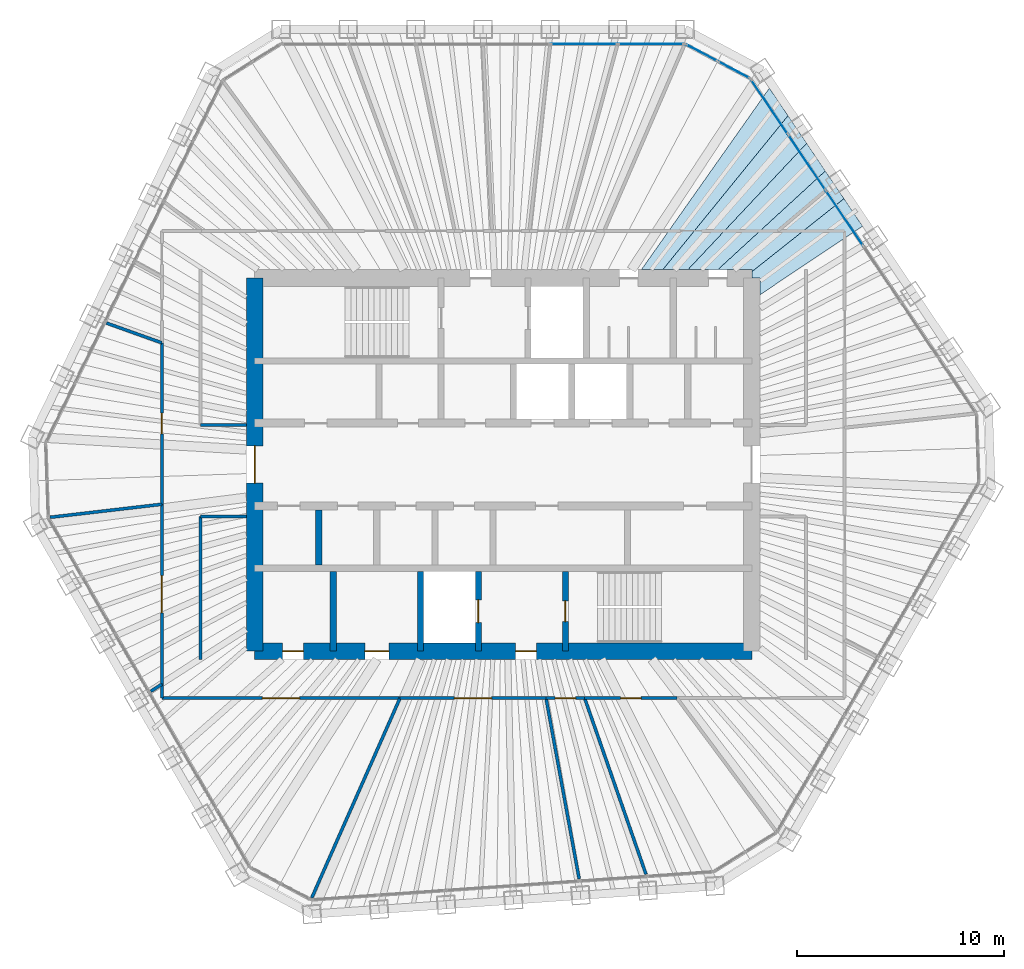
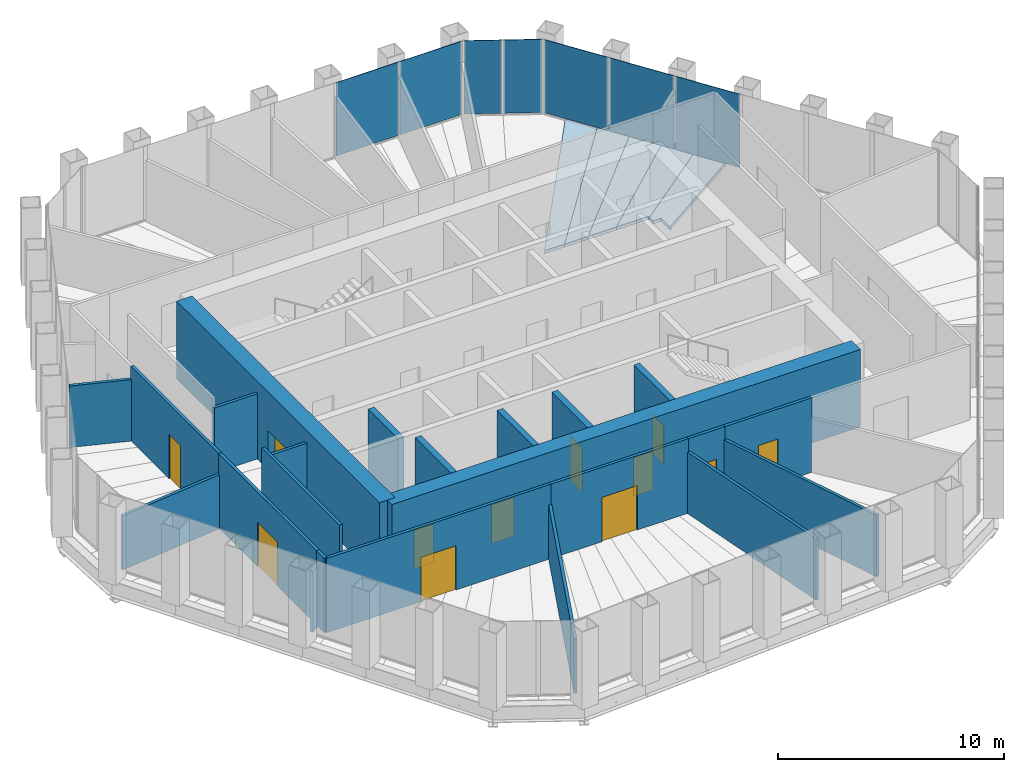
# One storey, part 11 of 14: 23 walls, 12 doors, 7 plates, 5 slabs, 12 openings, 3 elements without a shape of their own.
"""IFC4 building model written with IfcOpenShell, lengths in metres."""

from ifc_helpers import new_model, si_unit, direction, frame, frame_2d, origin, origin_2d, place, context, subcontext, project, spatial, polyline, rectangle, outline, extrude, material, layer, layer_set, type_object, element, fill, aggregate, save


model = new_model("IFC4")

# Units and contexts
model_context = context("Model", 3, precision=1e-05, world=origin(), true_north=direction((0.0, 1.0)))
body_context = subcontext(model_context, "Body", "Model", "MODEL_VIEW")
ifc_project = project(units=[si_unit("LENGTHUNIT", "METRE"), si_unit("AREAUNIT", "SQUARE_METRE"), si_unit("VOLUMEUNIT", "CUBIC_METRE"), si_unit("PLANEANGLEUNIT", "RADIAN"), si_unit("MASSUNIT", "GRAM", prefix="KILO")], contexts=[model_context])

# Site, building, storey
site_placement = place(None, origin())
site = spatial("IfcSite", under=ifc_project, at=site_placement, CompositionType="ELEMENT")
building_placement = place(site_placement, origin())
building = spatial("IfcBuilding", under=site, at=building_placement, Name="Qingtian Harvest Tower", CompositionType="ELEMENT")
storey_placement = place(building_placement, frame((0.0, 0.0, 316.60009765625)))
storey = spatial("IfcBuildingStorey", under=building, at=storey_placement, Name="L70", CompositionType="ELEMENT", Elevation=316.60009765625)

# Slabs
ifc_material_1 = material(Name="Concrete fc' 35 MPa", Category="concrete")
ifc_layer_1 = layer(ifc_material_1, 0.169921875)
ifc_layer_set_1 = layer_set([ifc_layer_1], Name="Composite floor slab FS17 170")
slab_type = type_object("IfcSlabType", Name="Composite floor slab FS17 170", PredefinedType="FLOOR", material=ifc_layer_set_1)
slab_1_placement = place(storey_placement, frame((0.0, 0.0, -0.170166015625)))
element("IfcSlab", 1, at=slab_1_placement, inside=storey, type_object=slab_type, Name="Floor slab L70 panel D47", PredefinedType="FLOOR", context=body_context, shape_type="SweptSolid", body=[
    extrude(outline(polyline([(12.39990234375, 9.0), (12.0, 9.0), (12.0, 9.30908203125), (16.44140625, 12.830078125), (17.340576171875, 11.4970703125), (12.39990234375, 8.199462890625), (12.39990234375, 9.0)])), origin(), (0.0, 0.0, 1.0), 0.170166015625),
])
slab_2_placement = place(storey_placement, frame((0.0, 0.0, -0.170166015625)))
element("IfcSlab", 2, at=slab_2_placement, inside=storey, type_object=slab_type, Name="Floor slab L70 panel D48", PredefinedType="FLOOR", context=body_context, shape_type="SweptSolid", body=[
    extrude(outline(polyline([(12.0, 9.39990234375), (10.349853515625, 9.39990234375), (15.541259765625, 14.164794921875), (16.44140625, 12.830078125), (12.0, 9.30908203125), (12.0, 9.39990234375)])), origin(), (0.0, 0.0, 1.0), 0.170166015625),
])
slab_3_placement = place(storey_placement, frame((0.0, 0.0, -0.170166015625)))
element("IfcSlab", 3, at=slab_3_placement, inside=storey, type_object=slab_type, Name="Floor slab L70 panel D49", PredefinedType="FLOOR", context=body_context, shape_type="SweptSolid", body=[
    extrude(outline(polyline([(8.907958984375, 9.39990234375), (14.641357421875, 15.498779296875), (15.541259765625, 14.164794921875), (10.349853515625, 9.39990234375), (8.907958984375, 9.39990234375)])), origin(), (0.0, 0.0, 1.0), 0.170166015625),
])
slab_4_placement = place(storey_placement, frame((0.0, 0.0, -0.170166015625)))
element("IfcSlab", 4, at=slab_4_placement, inside=storey, type_object=slab_type, Name="Floor slab L70 panel D50", PredefinedType="FLOOR", context=body_context, shape_type="SweptSolid", body=[
    extrude(outline(polyline([(7.695556640625, 9.39990234375), (13.74169921875, 16.832763671875), (14.641357421875, 15.498779296875), (8.907958984375, 9.39990234375), (7.695556640625, 9.39990234375)])), origin(), (0.0, 0.0, 1.0), 0.170166015625),
])
slab_5_placement = place(storey_placement, frame((0.0, 0.0, -0.170166015625)))
element("IfcSlab", 5, at=slab_5_placement, inside=storey, type_object=slab_type, Name="Floor slab L70 panel D51", PredefinedType="FLOOR", context=body_context, shape_type="SweptSolid", body=[
    extrude(outline(polyline([(6.662109375, 9.39990234375), (12.841796875, 18.16650390625), (13.74169921875, 16.832763671875), (7.695556640625, 9.39990234375), (6.662109375, 9.39990234375)])), origin(), (0.0, 0.0, 1.0), 0.170166015625),
])

# Curtain wall, plates
ifc_material_2 = material(Name="Bronze-anodised aluminium curtain wall", Category="aluminium")
curtain_wall_type = type_object("IfcCurtainWallType", Name="Curtain wall CW5 upper office", PredefinedType="USERDEFINED", material=ifc_material_2)
curtain_wall_1_placement = place(storey_placement, origin())
curtain_wall_1 = element("IfcCurtainWall", 6, at=curtain_wall_1_placement, inside=storey, type_object=curtain_wall_type, Name="Curtain wall CW5 L70 N0-5", ObjectType="RECESSED CURTAIN WALL", PredefinedType="USERDEFINED")
ifc_material_3 = material(Name="Bronze-tinted laminated insulating glass", Category="glass")
ifc_layer_2 = layer(ifc_material_3, 0.030029296875)
ifc_layer_set_2 = layer_set([ifc_layer_2], Name="Glazed panel CWP tinted IGU")
plate_type = type_object("IfcPlateType", Name="Glazed panel CWP tinted IGU", PredefinedType="CURTAIN_PANEL", material=ifc_layer_set_2)
plate_1_placement = place(storey_placement, frame((3.893798828125, 20.300048828125, 0.06494140625), z_axis=(0.0, 0.0, 1.0), x_axis=(1.0, 0.0, 0.0)))
plate_1 = element("IfcPlate", 7, at=plate_1_placement, type_object=plate_type, Name="CW5 panel 5.1", PredefinedType="CURTAIN_PANEL", context=body_context, shape_type="SweptSolid", body=[
    extrude(rectangle(XDim=3.18310546875, YDim=0.030029296875, at=origin_2d()), origin(), (0.0, 0.0, 1.0), 3.965087890625),
])
plate_2_placement = place(storey_placement, frame((7.125732421875, 20.300048828125, 0.06494140625), z_axis=(0.0, 0.0, 1.0), x_axis=(1.0, 0.0, 0.0)))
plate_2 = element("IfcPlate", 8, at=plate_2_placement, type_object=plate_type, Name="CW5 panel 6.1", PredefinedType="CURTAIN_PANEL", context=body_context, shape_type="SweptSolid", body=[
    extrude(rectangle(XDim=3.150634765625, YDim=0.030029296875, at=origin_2d()), origin(), (0.0, 0.0, 1.0), 3.965087890625),
])
aggregate(curtain_wall_1, [plate_1, plate_2])

curtain_wall_2_placement = place(storey_placement, origin())
curtain_wall_2 = element("IfcCurtainWall", 9, at=curtain_wall_2_placement, inside=storey, type_object=curtain_wall_type, Name="Curtain wall CW5 L70 NC", ObjectType="RECESSED CURTAIN WALL", PredefinedType="USERDEFINED")
plate_3_placement = place(storey_placement, frame((9.57080078125, 19.8720703125, 0.06494140625), z_axis=(0.0, 0.0, 1.0), x_axis=(0.882947592859, -0.469471562786, 0.0)))
plate_3 = element("IfcPlate", 10, at=plate_3_placement, type_object=plate_type, Name="CW5 panel 1.1", PredefinedType="CURTAIN_PANEL", context=body_context, shape_type="SweptSolid", body=[
    extrude(rectangle(XDim=1.69287109375, YDim=0.030029296875, at=origin_2d()), origin(), (0.0, 0.0, 1.0), 3.965087890625),
])
plate_4_placement = place(storey_placement, frame((11.122802734375, 19.046875, 0.06494140625), z_axis=(0.0, 0.0, 1.0), x_axis=(0.882947592859, -0.469471562786, 0.0)))
plate_4 = element("IfcPlate", 11, at=plate_4_placement, type_object=plate_type, Name="CW5 panel 2.1", PredefinedType="CURTAIN_PANEL", context=body_context, shape_type="SweptSolid", body=[
    extrude(rectangle(XDim=1.69287109375, YDim=0.030029296875, at=origin_2d()), origin(), (0.0, 0.0, 1.0), 3.965087890625),
])
aggregate(curtain_wall_2, [plate_3, plate_4])

curtain_wall_3_placement = place(storey_placement, origin())
curtain_wall_3 = element("IfcCurtainWall", 12, at=curtain_wall_3_placement, inside=storey, type_object=curtain_wall_type, Name="Curtain wall CW5 L70 NE0-5", ObjectType="RECESSED CURTAIN WALL", PredefinedType="USERDEFINED")
plate_5_placement = place(storey_placement, frame((12.844970703125, 17.259033203125, 0.06494140625), z_axis=(0.0, 0.0, 1.0), x_axis=(0.559192903471, -0.829037572555, 0.0)))
plate_5 = element("IfcPlate", 13, at=plate_5_placement, type_object=plate_type, Name="CW5 panel 1.1", PredefinedType="CURTAIN_PANEL", context=body_context, shape_type="SweptSolid", body=[
    extrude(rectangle(XDim=3.150634765625, YDim=0.030029296875, at=origin_2d()), origin(), (0.0, 0.0, 1.0), 3.965087890625),
])
plate_6_placement = place(storey_placement, frame((14.652099609375, 14.579833984375, 0.06494140625), z_axis=(0.0, 0.0, 1.0), x_axis=(0.559192903471, -0.829037572555, 0.0)))
plate_6 = element("IfcPlate", 14, at=plate_6_placement, type_object=plate_type, Name="CW5 panel 2.1", PredefinedType="CURTAIN_PANEL", context=body_context, shape_type="SweptSolid", body=[
    extrude(rectangle(XDim=3.18310546875, YDim=0.030029296875, at=origin_2d()), origin(), (0.0, 0.0, 1.0), 3.965087890625),
])
plate_7_placement = place(storey_placement, frame((16.46826171875, 11.886962890625, 0.06494140625), z_axis=(0.0, 0.0, 1.0), x_axis=(0.559192903471, -0.829037572555, 0.0)))
plate_7 = element("IfcPlate", 15, at=plate_7_placement, type_object=plate_type, Name="CW5 panel 3.1", PredefinedType="CURTAIN_PANEL", context=body_context, shape_type="SweptSolid", body=[
    extrude(rectangle(XDim=3.18310546875, YDim=0.030029296875, at=origin_2d()), origin(), (0.0, 0.0, 1.0), 3.965087890625),
])
aggregate(curtain_wall_3, [plate_5, plate_6, plate_7])

# Walls
ifc_material_4 = material(Name="Precast concrete shaft panel", Category="concrete")
ifc_layer_3 = layer(ifc_material_4, 0.300048828125)
ifc_layer_set_3 = layer_set([ifc_layer_3], Name="Core shaft partition SW1 300")
wall_type_1 = type_object("IfcWallType", Name="Core shaft partition SW1 300", PredefinedType="PARTITIONING", material=ifc_layer_set_3)
wall_1_placement = place(storey_placement, frame((-8.89990234375, -4.85009765625, 0.0), z_axis=(0.0, 0.0, 1.0), x_axis=(0.0, 1.0, 0.0)))
element("IfcWall", 16, at=wall_1_placement, inside=storey, type_object=wall_type_1, Name="Core shaft partition XB1 L70", PredefinedType="PARTITIONING", context=body_context, shape_type="SweptSolid", body=[
    extrude(rectangle(XDim=2.650146484375, YDim=0.300048828125, at=frame_2d((1.3251953125, 0.0))), origin(), (0.0, 0.0, 1.0), 3.97998046875),
])
for number, where, z_axis, x_axis, name in (
    (17, (-8.199951171875, -9.0, 0.0), (0.0, 0.0, 1.0), (0.0, 1.0, 0.0), "Core shaft partition XS1 L70"),
    (18, (-4.0, -9.0, 0.0), (0.0, 0.0, 1.0), (0.0, 1.0, 0.0), "Core shaft partition XS2 L70"),
):
    element("IfcWall", number, at=place(storey_placement, frame(where, z_axis=z_axis, x_axis=x_axis)), inside=storey, type_object=wall_type_1, Name=name, PredefinedType="PARTITIONING", context=body_context, shape_type="SweptSolid", body=[
        extrude(rectangle(XDim=3.85009765625, YDim=0.300048828125, at=frame_2d((1.925048828125, 0.0))), origin(), (0.0, 0.0, 1.0), 3.97998046875),
    ])

# Wall, opening, door
wall_2_placement = place(storey_placement, frame((-1.199951171875, -9.0, 0.0), z_axis=(0.0, 0.0, 1.0), x_axis=(0.0, 1.0, 0.0)))
wall_2 = element("IfcWall", 19, at=wall_2_placement, inside=storey, type_object=wall_type_1, Name="Core shaft partition XS3 L70", PredefinedType="PARTITIONING", context=body_context, shape_type="SweptSolid", body=[
    extrude(rectangle(XDim=3.85009765625, YDim=0.300048828125, at=frame_2d((1.925048828125, 0.0))), origin(), (0.0, 0.0, 1.0), 3.97998046875),
])
opening_1_placement = place(wall_2_placement, frame((1.375, 0.0, 0.0)))
opening_1 = element("IfcOpeningElement", 20, at=opening_1_placement, cuts=wall_2, Name="Opening LD1", PredefinedType="OPENING", context=body_context, shape_type="SweptSolid", body=[
    extrude(rectangle(XDim=1.10009765625, YDim=2.39990234375, at=frame_2d((0.550048828125, 1.199951171875))), frame((0.0, 0.159912109375, 0.0), z_axis=(0.0, -1.0, 0.0), x_axis=(1.0, 0.0, 0.0)), (0.0, 0.0, 1.0), 0.320068359375),
])
ifc_material_5 = material(Name="Stainless steel lift landing door", Category="steel")
door_type_1 = type_object("IfcDoorType", Name="Lift landing door LD1 1 HR", OperationType="DOUBLE_DOOR_SLIDING", PredefinedType="DOOR", material=ifc_material_5)
door_1_placement = place(opening_1_placement, origin())
door_1 = element("IfcDoor", 21, at=door_1_placement, inside=storey, type_object=door_type_1, Name="FL2 landing door L70", OperationType="DOUBLE_DOOR_SLIDING", OverallHeight=2.39990234375, OverallWidth=1.10009765625, PredefinedType="DOOR", context=body_context, shape_type="SweptSolid", body=[
    extrude(rectangle(XDim=1.10009765625, YDim=2.39990234375, at=frame_2d((0.550048828125, 1.199951171875))), frame((0.0, 0.02490234375, 0.0), z_axis=(0.0, -1.0, 0.0), x_axis=(1.0, 0.0, 0.0)), (0.0, 0.0, 1.0), 0.050048828125),
])
fill(opening_1, door_1)

wall_3_placement = place(storey_placement, frame((3.0, -9.0, 0.0), z_axis=(0.0, 0.0, 1.0), x_axis=(0.0, 1.0, 0.0)))
wall_3 = element("IfcWall", 22, at=wall_3_placement, inside=storey, type_object=wall_type_1, Name="Core shaft partition XS4 L70", PredefinedType="PARTITIONING", context=body_context, shape_type="SweptSolid", body=[
    extrude(rectangle(XDim=3.85009765625, YDim=0.300048828125, at=frame_2d((1.925048828125, 0.0))), origin(), (0.0, 0.0, 1.0), 3.97998046875),
])
opening_2_placement = place(wall_3_placement, frame((1.425048828125, 0.0, 0.0)))
opening_2 = element("IfcOpeningElement", 23, at=opening_2_placement, cuts=wall_3, Name="Opening FD1", PredefinedType="OPENING", context=body_context, shape_type="SweptSolid", body=[
    extrude(rectangle(XDim=1.0, YDim=2.10009765625, at=frame_2d((0.5, 1.050048828125))), frame((0.0, 0.159912109375, 0.0), z_axis=(0.0, -1.0, 0.0), x_axis=(1.0, 0.0, 0.0)), (0.0, 0.0, 1.0), 0.320068359375),
])
ifc_material_6 = material(Name="Steel-faced door leaf", Category="steel")
door_type_2 = type_object("IfcDoorType", Name="Fire door FD1 single 1 HR", OperationType="SINGLE_SWING_LEFT", PredefinedType="DOOR", material=ifc_material_6)
door_2_placement = place(opening_2_placement, origin())
door_2 = element("IfcDoor", 24, at=door_2_placement, inside=storey, type_object=door_type_2, Name="S2 door L70", OperationType="SINGLE_SWING_LEFT", OverallHeight=2.10009765625, OverallWidth=1.0, PredefinedType="DOOR", context=body_context, shape_type="SweptSolid", body=[
    extrude(rectangle(XDim=1.0, YDim=2.10009765625, at=frame_2d((0.5, 1.050048828125))), frame((0.0, 0.02490234375, 0.0), z_axis=(0.0, -1.0, 0.0), x_axis=(1.0, 0.0, 0.0)), (0.0, 0.0, 1.0), 0.050048828125),
])
fill(opening_2, door_2)

# Wall, openings, doors
ifc_material_7 = material(Name="Concrete fc' 70 MPa", Category="concrete")
ifc_layer_4 = layer(ifc_material_7, 0.800048828125)
ifc_layer_set_4 = layer_set([ifc_layer_4], Name="Core wall RC4 800")
wall_type_2 = type_object("IfcWallType", Name="Core wall RC4 800", PredefinedType="SHEAR", material=ifc_layer_set_4)
wall_4_placement = place(storey_placement, frame((-12.0, -9.0, 0.0), z_axis=(0.0, 0.0, 1.0), x_axis=(1.0, 0.0, 0.0)))
wall_4 = element("IfcWall", 25, at=wall_4_placement, inside=storey, type_object=wall_type_2, Name="Core wall CS L70", PredefinedType="SHEAR", context=body_context, shape_type="SweptSolid", body=[
    extrude(rectangle(XDim=24.0, YDim=0.800048828125, at=frame_2d((12.0, 0.0))), origin(), (0.0, 0.0, 1.0), 4.199951171875),
])
opening_3_placement = place(wall_4_placement, frame((1.35009765625, 0.0, 0.0)))
opening_3 = element("IfcOpeningElement", 26, at=opening_3_placement, cuts=wall_4, Name="Opening FD1", PredefinedType="OPENING", context=body_context, shape_type="SweptSolid", body=[
    extrude(rectangle(XDim=1.0, YDim=2.10009765625, at=frame_2d((0.5, 1.050048828125))), frame((0.0, 0.409912109375, 0.0), z_axis=(0.0, -1.0, 0.0), x_axis=(1.0, 0.0, 0.0)), (0.0, 0.0, 1.0), 0.820068359375),
])
opening_4_placement = place(wall_4_placement, frame((5.324951171875, 0.0, 0.0)))
opening_4 = element("IfcOpeningElement", 27, at=opening_4_placement, cuts=wall_4, Name="Opening AD1", PredefinedType="OPENING", context=body_context, shape_type="SweptSolid", body=[
    extrude(rectangle(XDim=1.14990234375, YDim=2.10009765625, at=frame_2d((0.574951171875, 1.050048828125))), frame((0.0, 0.409912109375, 0.0), z_axis=(0.0, -1.0, 0.0), x_axis=(1.0, 0.0, 0.0)), (0.0, 0.0, 1.0), 0.820068359375),
])
opening_5_placement = place(wall_4_placement, frame((12.60009765625, 0.0, 0.0)))
opening_5 = element("IfcOpeningElement", 28, at=opening_5_placement, cuts=wall_4, Name="Opening FD1", PredefinedType="OPENING", context=body_context, shape_type="SweptSolid", body=[
    extrude(rectangle(XDim=1.0, YDim=2.10009765625, at=frame_2d((0.5, 1.050048828125))), frame((0.0, 0.409912109375, 0.0), z_axis=(0.0, -1.0, 0.0), x_axis=(1.0, 0.0, 0.0)), (0.0, 0.0, 1.0), 0.820068359375),
])
ifc_material_8 = material(Name="Laminated timber door leaf", Category="wood")
door_type_3 = type_object("IfcDoorType", Name="Accessible WC door AD1 single", OperationType="SINGLE_SWING_LEFT", PredefinedType="DOOR", material=ifc_material_8)
door_3_placement = place(opening_4_placement, origin())
door_3 = element("IfcDoor", 29, at=door_3_placement, inside=storey, type_object=door_type_3, Name="AWC door L70", OperationType="SINGLE_SWING_RIGHT", OverallHeight=2.10009765625, OverallWidth=1.14990234375, PredefinedType="DOOR", context=body_context, shape_type="SweptSolid", body=[
    extrude(rectangle(XDim=1.14990234375, YDim=2.10009765625, at=frame_2d((0.574951171875, 1.050048828125))), frame((0.0, 0.02490234375, 0.0), z_axis=(0.0, -1.0, 0.0), x_axis=(1.0, 0.0, 0.0)), (0.0, 0.0, 1.0), 0.050048828125),
])
fill(opening_4, door_3)
door_4_placement = place(opening_3_placement, origin())
door_4 = element("IfcDoor", 30, at=door_4_placement, inside=storey, type_object=door_type_2, Name="CLN door L70", OperationType="SINGLE_SWING_LEFT", OverallHeight=2.10009765625, OverallWidth=1.0, PredefinedType="DOOR", context=body_context, shape_type="SweptSolid", body=[
    extrude(rectangle(XDim=1.0, YDim=2.10009765625, at=frame_2d((0.5, 1.050048828125))), frame((0.0, 0.02490234375, 0.0), z_axis=(0.0, -1.0, 0.0), x_axis=(1.0, 0.0, 0.0)), (0.0, 0.0, 1.0), 0.050048828125),
])
fill(opening_3, door_4)
door_5_placement = place(opening_5_placement, origin())
door_5 = element("IfcDoor", 31, at=door_5_placement, inside=storey, type_object=door_type_2, Name="V2 door L70", OperationType="SINGLE_SWING_RIGHT", OverallHeight=2.10009765625, OverallWidth=1.0, PredefinedType="DOOR", context=body_context, shape_type="SweptSolid", body=[
    extrude(rectangle(XDim=1.0, YDim=2.10009765625, at=frame_2d((0.5, 1.050048828125))), frame((0.0, 0.02490234375, 0.0), z_axis=(0.0, -1.0, 0.0), x_axis=(1.0, 0.0, 0.0)), (0.0, 0.0, 1.0), 0.050048828125),
])
fill(opening_5, door_5)

# Wall, opening, door
wall_5_placement = place(storey_placement, frame((-12.0, -9.0, 0.0), z_axis=(0.0, 0.0, 1.0), x_axis=(0.0, 1.0, 0.0)))
wall_5 = element("IfcWall", 32, at=wall_5_placement, inside=storey, type_object=wall_type_2, Name="Core wall CW L70", PredefinedType="SHEAR", context=body_context, shape_type="SweptSolid", body=[
    extrude(rectangle(XDim=18.0, YDim=0.800048828125, at=frame_2d((9.0, 0.0))), origin(), (0.0, 0.0, 1.0), 4.199951171875),
])
opening_6_placement = place(wall_5_placement, frame((8.10009765625, 0.0, 0.0)))
opening_6 = element("IfcOpeningElement", 33, at=opening_6_placement, cuts=wall_5, Name="Opening FD2", PredefinedType="OPENING", context=body_context, shape_type="SweptSolid", body=[
    extrude(rectangle(XDim=1.800048828125, YDim=2.10009765625, at=frame_2d((0.89990234375, 1.050048828125))), frame((0.0, 0.409912109375, 0.0), z_axis=(0.0, -1.0, 0.0), x_axis=(1.0, 0.0, 0.0)), (0.0, 0.0, 1.0), 0.820068359375),
])
ifc_material_9 = material(Name="Steel-faced door leaf", Category="steel")
door_type_4 = type_object("IfcDoorType", Name="Fire door FD2 double 1 HR", OperationType="DOUBLE_DOOR_DOUBLE_SWING", PredefinedType="DOOR", material=ifc_material_9)
door_6_placement = place(opening_6_placement, origin())
door_6 = element("IfcDoor", 34, at=door_6_placement, inside=storey, type_object=door_type_4, Name="LOBBY-W door L70", OperationType="DOUBLE_DOOR_DOUBLE_SWING", OverallHeight=2.10009765625, OverallWidth=1.800048828125, PredefinedType="DOOR", context=body_context, shape_type="SweptSolid", body=[
    extrude(rectangle(XDim=1.800048828125, YDim=2.10009765625, at=frame_2d((0.89990234375, 1.050048828125))), frame((0.0, 0.02490234375, 0.0), z_axis=(0.0, -1.0, 0.0), x_axis=(1.0, 0.0, 0.0)), (0.0, 0.0, 1.0), 0.050048828125),
])
fill(opening_6, door_6)

ifc_material_10 = material(Name="Gypsum board on steel studs", Category="steel")
ifc_layer_5 = layer(ifc_material_10, 0.14990234375)
ifc_layer_set_5 = layer_set([ifc_layer_5], Name="Partition PT1 150")
wall_type_3 = type_object("IfcWallType", Name="Partition PT1 150", PredefinedType="PARTITIONING", material=ifc_layer_set_5)
wall_6_placement = place(storey_placement, frame((8.38720703125, -11.27490234375, 0.0), z_axis=(0.0, 0.0, 1.0), x_axis=(-1.0, 0.0, 0.0)))
wall_6 = element("IfcWall", 35, at=wall_6_placement, inside=storey, type_object=wall_type_3, Name="Private office wall L70", PredefinedType="PARTITIONING", context=body_context, shape_type="SweptSolid", body=[
    extrude(rectangle(XDim=4.45947265625, YDim=0.14990234375, at=frame_2d((2.229736328125, 0.0))), origin(), (0.0, 0.0, 1.0), 4.02978515625),
])
opening_7_placement = place(wall_6_placement, frame((1.729736328125, 0.0, 0.0)))
opening_7 = element("IfcOpeningElement", 36, at=opening_7_placement, cuts=wall_6, Name="Opening D2", PredefinedType="OPENING", context=body_context, shape_type="SweptSolid", body=[
    extrude(rectangle(XDim=1.0, YDim=2.39990234375, at=frame_2d((0.5, 1.199951171875))), frame((0.0, 0.0849609375, 0.0), z_axis=(0.0, -1.0, 0.0), x_axis=(1.0, 0.0, 0.0)), (0.0, 0.0, 1.0), 0.169921875),
])
ifc_material_11 = material(Name="Laminated timber door leaf", Category="wood")
door_type_5 = type_object("IfcDoorType", Name="Room door D2 single", OperationType="SINGLE_SWING_LEFT", PredefinedType="DOOR", material=ifc_material_11)
door_7_placement = place(opening_7_placement, origin())
door_7 = element("IfcDoor", 37, at=door_7_placement, inside=storey, type_object=door_type_5, Name="Private office door L70", OperationType="SINGLE_SWING_RIGHT", OverallHeight=2.39990234375, OverallWidth=1.0, PredefinedType="DOOR", context=body_context, shape_type="SweptSolid", body=[
    extrude(rectangle(XDim=1.0, YDim=2.39990234375, at=frame_2d((0.5, 1.199951171875))), frame((0.0, 0.02490234375, 0.0), z_axis=(0.0, -1.0, 0.0), x_axis=(1.0, 0.0, 0.0)), (0.0, 0.0, 1.0), 0.050048828125),
])
fill(opening_7, door_7)

# Wall
wall_7_placement = place(storey_placement, frame((6.8876953125, -19.771240234375, 0.0), z_axis=(0.0, 0.0, 1.0), x_axis=(-0.328987878601, 0.944334144111, 0.0)))
element("IfcWall", 38, at=wall_7_placement, inside=storey, type_object=wall_type_3, Name="Private office wall L70", PredefinedType="PARTITIONING", context=body_context, shape_type="SweptSolid", body=[
    extrude(rectangle(XDim=8.9970703125, YDim=0.14990234375, at=frame_2d((4.49853515625, 0.0))), origin(), (0.0, 0.0, 1.0), 3.329833984375),
])

# Wall, opening, door
wall_8_placement = place(storey_placement, frame((3.927734375, -11.27490234375, 0.0), z_axis=(0.0, 0.0, 1.0), x_axis=(-1.0, 0.0, 0.0)))
wall_8 = element("IfcWall", 39, at=wall_8_placement, inside=storey, type_object=wall_type_3, Name="Private office wall L70", PredefinedType="PARTITIONING", context=body_context, shape_type="SweptSolid", body=[
    extrude(rectangle(XDim=1.862548828125, YDim=0.14990234375, at=frame_2d((0.93115234375, 0.0))), origin(), (0.0, 0.0, 1.0), 4.02978515625),
])
opening_8_placement = place(wall_8_placement, frame((0.43115234375, 0.0, 0.0)))
opening_8 = element("IfcOpeningElement", 40, at=opening_8_placement, cuts=wall_8, Name="Opening D2", PredefinedType="OPENING", context=body_context, shape_type="SweptSolid", body=[
    extrude(rectangle(XDim=1.0, YDim=2.39990234375, at=frame_2d((0.5, 1.199951171875))), frame((0.0, 0.0849609375, 0.0), z_axis=(0.0, -1.0, 0.0), x_axis=(1.0, 0.0, 0.0)), (0.0, 0.0, 1.0), 0.169921875),
])
door_8_placement = place(opening_8_placement, origin())
door_8 = element("IfcDoor", 41, at=door_8_placement, inside=storey, type_object=door_type_5, Name="Private office door L70", OperationType="SINGLE_SWING_RIGHT", OverallHeight=2.39990234375, OverallWidth=1.0, PredefinedType="DOOR", context=body_context, shape_type="SweptSolid", body=[
    extrude(rectangle(XDim=1.0, YDim=2.39990234375, at=frame_2d((0.5, 1.199951171875))), frame((0.0, 0.02490234375, 0.0), z_axis=(0.0, -1.0, 0.0), x_axis=(1.0, 0.0, 0.0)), (0.0, 0.0, 1.0), 0.050048828125),
])
fill(opening_8, door_8)

# Wall
wall_9_placement = place(storey_placement, frame((3.662353515625, -19.993896484375, 0.0), z_axis=(0.0, 0.0, 1.0), x_axis=(-0.180184416856, 0.983632846098, 0.0)))
element("IfcWall", 42, at=wall_9_placement, inside=storey, type_object=wall_type_3, Name="Workplace zone wall L70", PredefinedType="PARTITIONING", context=body_context, shape_type="SweptSolid", body=[
    extrude(rectangle(XDim=8.864013671875, YDim=0.14990234375, at=frame_2d((4.43212890625, 0.0))), origin(), (0.0, 0.0, 1.0), 3.329833984375),
])

# Wall, opening, door
wall_10_placement = place(storey_placement, frame((2.065185546875, -11.27490234375, 0.0), z_axis=(0.0, 0.0, 1.0), x_axis=(-1.0, 0.0, 0.0)))
wall_10 = element("IfcWall", 43, at=wall_10_placement, inside=storey, type_object=wall_type_3, Name="Workplace zone wall L70", PredefinedType="PARTITIONING", context=body_context, shape_type="SweptSolid", body=[
    extrude(rectangle(XDim=7.048095703125, YDim=0.14990234375, at=frame_2d((3.52392578125, 0.0))), origin(), (0.0, 0.0, 1.0), 4.02978515625),
])
opening_9_placement = place(wall_10_placement, frame((2.6240234375, 0.0, 0.0)))
opening_9 = element("IfcOpeningElement", 44, at=opening_9_placement, cuts=wall_10, Name="Opening D3", PredefinedType="OPENING", context=body_context, shape_type="SweptSolid", body=[
    extrude(rectangle(XDim=1.800048828125, YDim=2.39990234375, at=frame_2d((0.89990234375, 1.199951171875))), frame((0.0, 0.0849609375, 0.0), z_axis=(0.0, -1.0, 0.0), x_axis=(1.0, 0.0, 0.0)), (0.0, 0.0, 1.0), 0.169921875),
])
ifc_material_12 = material(Name="Laminated timber door leaf", Category="wood")
door_type_6 = type_object("IfcDoorType", Name="Room door D3 double", OperationType="DOUBLE_DOOR_DOUBLE_SWING", PredefinedType="DOOR", material=ifc_material_12)
door_9_placement = place(opening_9_placement, origin())
door_9 = element("IfcDoor", 45, at=door_9_placement, inside=storey, type_object=door_type_6, Name="Workplace zone door L70", OperationType="DOUBLE_DOOR_DOUBLE_SWING", OverallHeight=2.39990234375, OverallWidth=1.800048828125, PredefinedType="DOOR", context=body_context, shape_type="SweptSolid", body=[
    extrude(rectangle(XDim=1.800048828125, YDim=2.39990234375, at=frame_2d((0.89990234375, 1.199951171875))), frame((0.0, 0.02490234375, 0.0), z_axis=(0.0, -1.0, 0.0), x_axis=(1.0, 0.0, 0.0)), (0.0, 0.0, 1.0), 0.050048828125),
])
fill(opening_9, door_9)

# Wall
wall_11_placement = place(storey_placement, frame((-9.23974609375, -20.906982421875, 0.0), z_axis=(0.0, 0.0, 1.0), x_axis=(0.404227449851, 0.91465849845, 0.0)))
element("IfcWall", 46, at=wall_11_placement, inside=storey, type_object=wall_type_3, Name="Test kitchen wall L70", PredefinedType="PARTITIONING", context=body_context, shape_type="SweptSolid", body=[
    extrude(rectangle(XDim=10.53076171875, YDim=0.14990234375, at=frame_2d((5.265380859375, 0.0))), origin(), (0.0, 0.0, 1.0), 2.929931640625),
])

# Wall, opening, door
wall_12_placement = place(storey_placement, frame((-4.98291015625, -11.27490234375, 0.0), z_axis=(0.0, 0.0, 1.0), x_axis=(-1.0, 0.0, 0.0)))
wall_12 = element("IfcWall", 47, at=wall_12_placement, inside=storey, type_object=wall_type_3, Name="Test kitchen wall L70", PredefinedType="PARTITIONING", context=body_context, shape_type="SweptSolid", body=[
    extrude(rectangle(XDim=11.4921875, YDim=0.14990234375, at=frame_2d((5.74609375, 0.0))), origin(), (0.0, 0.0, 1.0), 4.02978515625),
])
opening_10_placement = place(wall_12_placement, frame((4.845947265625, 0.0, 0.0)))
opening_10 = element("IfcOpeningElement", 48, at=opening_10_placement, cuts=wall_12, Name="Opening D3", PredefinedType="OPENING", context=body_context, shape_type="SweptSolid", body=[
    extrude(rectangle(XDim=1.800048828125, YDim=2.39990234375, at=frame_2d((0.89990234375, 1.199951171875))), frame((0.0, 0.0849609375, 0.0), z_axis=(0.0, -1.0, 0.0), x_axis=(1.0, 0.0, 0.0)), (0.0, 0.0, 1.0), 0.169921875),
])
door_10_placement = place(opening_10_placement, origin())
door_10 = element("IfcDoor", 49, at=door_10_placement, inside=storey, type_object=door_type_6, Name="Test kitchen door L70", OperationType="DOUBLE_DOOR_DOUBLE_SWING", OverallHeight=2.39990234375, OverallWidth=1.800048828125, PredefinedType="DOOR", context=body_context, shape_type="SweptSolid", body=[
    extrude(rectangle(XDim=1.800048828125, YDim=2.39990234375, at=frame_2d((0.89990234375, 1.199951171875))), frame((0.0, 0.02490234375, 0.0), z_axis=(0.0, -1.0, 0.0), x_axis=(1.0, 0.0, 0.0)), (0.0, 0.0, 1.0), 0.050048828125),
])
fill(opening_10, door_10)

# Walls
wall_13_placement = place(storey_placement, frame((-16.47509765625, -11.27490234375, 0.0), z_axis=(0.0, 0.0, 1.0), x_axis=(0.0, 1.0, 0.0)))
element("IfcWall", 50, at=wall_13_placement, inside=storey, type_object=wall_type_3, Name="Test kitchen wall L70", PredefinedType="PARTITIONING", context=body_context, shape_type="SweptSolid", body=[
    extrude(rectangle(XDim=0.67431640625, YDim=0.14990234375, at=frame_2d((0.337158203125, 0.0))), origin(), (0.0, 0.0, 1.0), 4.02978515625),
])
wall_14_placement = place(storey_placement, frame((-17.007080078125, -10.943115234375, 0.0), z_axis=(0.0, 0.0, 1.0), x_axis=(0.840789611822, 0.541362012568, 0.0)))
element("IfcWall", 51, at=wall_14_placement, inside=storey, type_object=wall_type_3, Name="Tasting room wall L70", PredefinedType="PARTITIONING", context=body_context, shape_type="SweptSolid", body=[
    extrude(rectangle(XDim=0.6328125, YDim=0.14990234375, at=frame_2d((0.31640625, 0.0))), origin(), (0.0, 0.0, 1.0), 3.329833984375),
])

# Wall, opening, door
wall_15_placement = place(storey_placement, frame((-16.47509765625, -10.6005859375, 0.0), z_axis=(0.0, 0.0, 1.0), x_axis=(0.0, 1.0, 0.0)))
wall_15 = element("IfcWall", 52, at=wall_15_placement, inside=storey, type_object=wall_type_3, Name="Tasting room wall L70", PredefinedType="PARTITIONING", context=body_context, shape_type="SweptSolid", body=[
    extrude(rectangle(XDim=8.681396484375, YDim=0.14990234375, at=frame_2d((4.3408203125, 0.0))), origin(), (0.0, 0.0, 1.0), 4.02978515625),
])
opening_11_placement = place(wall_15_placement, frame((3.440673828125, 0.0, 0.0)))
opening_11 = element("IfcOpeningElement", 53, at=opening_11_placement, cuts=wall_15, Name="Opening D3", PredefinedType="OPENING", context=body_context, shape_type="SweptSolid", body=[
    extrude(rectangle(XDim=1.800048828125, YDim=2.39990234375, at=frame_2d((0.89990234375, 1.199951171875))), frame((0.0, 0.0849609375, 0.0), z_axis=(0.0, -1.0, 0.0), x_axis=(1.0, 0.0, 0.0)), (0.0, 0.0, 1.0), 0.169921875),
])
door_11_placement = place(opening_11_placement, origin())
door_11 = element("IfcDoor", 54, at=door_11_placement, inside=storey, type_object=door_type_6, Name="Tasting room door L70", OperationType="DOUBLE_DOOR_DOUBLE_SWING", OverallHeight=2.39990234375, OverallWidth=1.800048828125, PredefinedType="DOOR", context=body_context, shape_type="SweptSolid", body=[
    extrude(rectangle(XDim=1.800048828125, YDim=2.39990234375, at=frame_2d((0.89990234375, 1.199951171875))), frame((0.0, 0.02490234375, 0.0), z_axis=(0.0, -1.0, 0.0), x_axis=(1.0, 0.0, 0.0)), (0.0, 0.0, 1.0), 0.050048828125),
])
fill(opening_11, door_11)

# Wall
wall_16_placement = place(storey_placement, frame((-21.864013671875, -2.546875, 0.0), z_axis=(0.0, 0.0, 1.0), x_axis=(0.993284789299, 0.115694975458, 0.0)))
element("IfcWall", 55, at=wall_16_placement, inside=storey, type_object=wall_type_3, Name="Pantry wall L70", PredefinedType="PARTITIONING", context=body_context, shape_type="SweptSolid", body=[
    extrude(rectangle(XDim=5.42529296875, YDim=0.14990234375, at=frame_2d((2.712646484375, 0.0))), origin(), (0.0, 0.0, 1.0), 2.929931640625),
])

# Wall, opening, door
wall_17_placement = place(storey_placement, frame((-16.47509765625, -1.919189453125, 0.0), z_axis=(0.0, 0.0, 1.0), x_axis=(0.0, 1.0, 0.0)))
wall_17 = element("IfcWall", 56, at=wall_17_placement, inside=storey, type_object=wall_type_3, Name="Pantry wall L70", PredefinedType="PARTITIONING", context=body_context, shape_type="SweptSolid", body=[
    extrude(rectangle(XDim=7.792236328125, YDim=0.14990234375, at=frame_2d((3.89599609375, 0.0))), origin(), (0.0, 0.0, 1.0), 4.02978515625),
])
opening_12_placement = place(wall_17_placement, frame((3.39599609375, 0.0, 0.0)))
opening_12 = element("IfcOpeningElement", 57, at=opening_12_placement, cuts=wall_17, Name="Opening D2", PredefinedType="OPENING", context=body_context, shape_type="SweptSolid", body=[
    extrude(rectangle(XDim=1.0, YDim=2.39990234375, at=frame_2d((0.5, 1.199951171875))), frame((0.0, 0.0849609375, 0.0), z_axis=(0.0, -1.0, 0.0), x_axis=(1.0, 0.0, 0.0)), (0.0, 0.0, 1.0), 0.169921875),
])
door_12_placement = place(opening_12_placement, origin())
door_12 = element("IfcDoor", 58, at=door_12_placement, inside=storey, type_object=door_type_5, Name="Pantry door L70", OperationType="SINGLE_SWING_LEFT", OverallHeight=2.39990234375, OverallWidth=1.0, PredefinedType="DOOR", context=body_context, shape_type="SweptSolid", body=[
    extrude(rectangle(XDim=1.0, YDim=2.39990234375, at=frame_2d((0.5, 1.199951171875))), frame((0.0, 0.02490234375, 0.0), z_axis=(0.0, -1.0, 0.0), x_axis=(1.0, 0.0, 0.0)), (0.0, 0.0, 1.0), 0.050048828125),
])
fill(opening_12, door_12)

# Walls
wall_18_placement = place(storey_placement, frame((-19.146240234375, 6.8251953125, 0.0), z_axis=(0.0, 0.0, 1.0), x_axis=(0.94194625765, -0.335763678351, 0.0)))
element("IfcWall", 59, at=wall_18_placement, inside=storey, type_object=wall_type_3, Name="Focus room wall L70", PredefinedType="PARTITIONING", context=body_context, shape_type="SweptSolid", body=[
    extrude(rectangle(XDim=2.835693359375, YDim=0.14990234375, at=frame_2d((1.41796875, 0.0))), origin(), (0.0, 0.0, 1.0), 3.329833984375),
])
wall_19_placement = place(storey_placement, frame((-12.39990234375, 1.89990234375, 0.0), z_axis=(0.0, 0.0, 1.0), x_axis=(-1.0, 0.0, 0.0)))
element("IfcWall", 60, at=wall_19_placement, inside=storey, type_object=wall_type_3, Name="Breakout space wall L70", PredefinedType="PARTITIONING", context=body_context, shape_type="SweptSolid", body=[
    extrude(rectangle(XDim=2.2001953125, YDim=0.14990234375, at=frame_2d((1.10009765625, 0.0))), origin(), (0.0, 0.0, 1.0), 3.52978515625),
])
wall_20_placement = place(storey_placement, frame((-14.60009765625, -9.39990234375, 0.0), z_axis=(0.0, 0.0, 1.0), x_axis=(0.0, 1.0, 0.0)))
element("IfcWall", 61, at=wall_20_placement, inside=storey, type_object=wall_type_3, Name="Reading area wall L70", PredefinedType="PARTITIONING", context=body_context, shape_type="SweptSolid", body=[
    extrude(rectangle(XDim=6.89990234375, YDim=0.14990234375, at=frame_2d((3.449951171875, 0.0))), origin(), (0.0, 0.0, 1.0), 4.02978515625),
])
wall_21_placement = place(storey_placement, frame((-12.39990234375, -2.5, 0.0), z_axis=(0.0, 0.0, 1.0), x_axis=(-1.0, 0.0, 0.0)))
element("IfcWall", 62, at=wall_21_placement, inside=storey, type_object=wall_type_3, Name="Reading area wall L70", PredefinedType="PARTITIONING", context=body_context, shape_type="SweptSolid", body=[
    extrude(rectangle(XDim=2.2001953125, YDim=0.14990234375, at=frame_2d((1.10009765625, 0.0))), origin(), (0.0, 0.0, 1.0), 3.52978515625),
])

save(model, "model.ifc")
